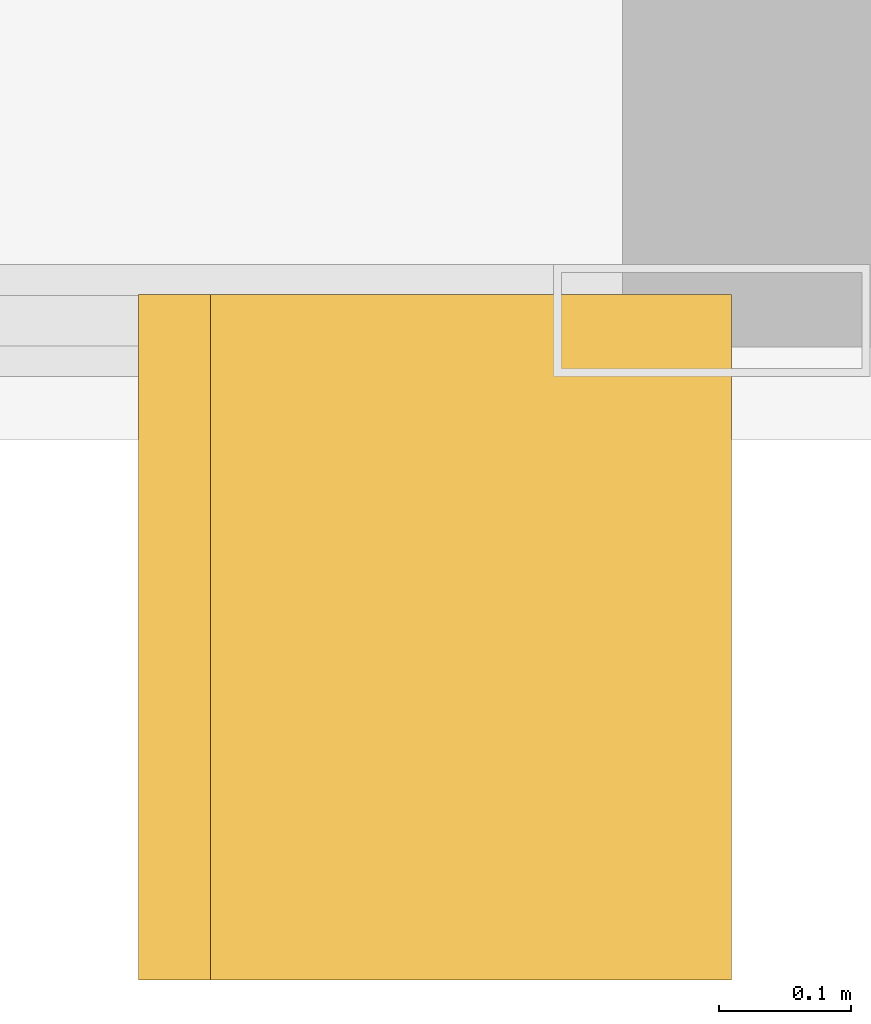
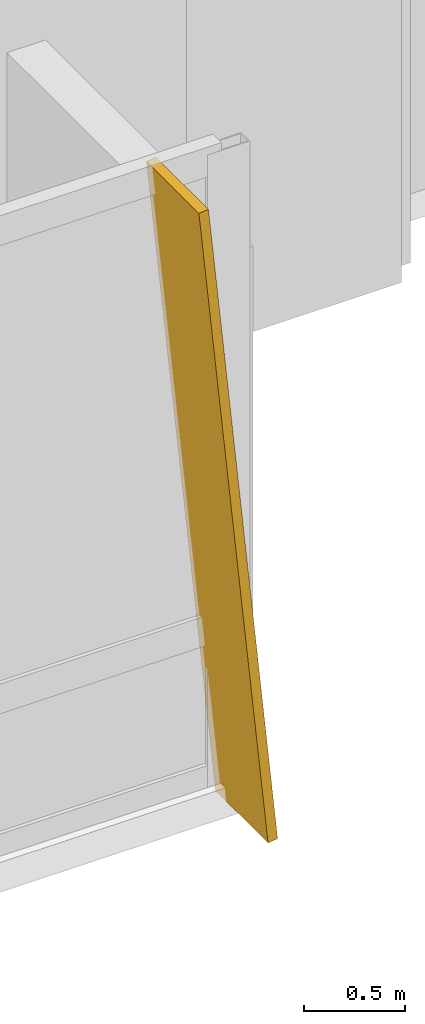
# One storey, part 35 of 35: 1 shading device.
"""IFC4 building model written with IfcOpenShell, lengths in metres."""

import ifcopenshell
import ifcopenshell.guid

model = None  # the IFC model being written
_history = None  # IfcOwnerHistory: only IFC2X3 demands one
_inside = {}  # id of a spatial element -> (the spatial element, [elements in it])
_under = {}  # id of a project, library or spatial element -> (it, [spatial elements below it])
_declared = {}  # id of a project -> (the project, [libraries it declares])
_typed = {}  # id of a type object -> (the type object, [elements of that type])
_made_of = {}  # id of a material, layer set ... -> (it, [elements and type objects made of it])


def new_model(schema):
    """Start an empty IFC model of exactly this schema.

    Asked for "IFC4X3", IfcOpenShell would pick the latest addendum, in which some entities
    have other attributes; the version numbers below select the first issue.
    IFC2X3 requires an IfcOwnerHistory on every rooted entity: one is made here for all.
    """
    global model, _history
    if schema == "IFC4X3":
        model = ifcopenshell.file(schema_version=(4, 3, 0, 0))
    else:
        model = ifcopenshell.file(schema=schema)
    _inside.clear()
    _under.clear()
    _declared.clear()
    _typed.clear()
    _made_of.clear()
    _history = None
    if model.schema == "IFC2X3":
        org = make("IfcOrganization", Name="unknown")
        user = make(
            "IfcPersonAndOrganization",
            ThePerson=make("IfcPerson", FamilyName="unknown"),
            TheOrganization=org,
        )
        app = make(
            "IfcApplication",
            ApplicationDeveloper=org,
            Version="unknown",
            ApplicationFullName="unknown",
            ApplicationIdentifier="unknown",
        )
        _history = make(
            "IfcOwnerHistory",
            OwningUser=user,
            OwningApplication=app,
            ChangeAction="ADDED",
            CreationDate=0,
        )
    return model


def make(cls, **values):
    """One entity of the class cls with the attributes given. An attribute that is None is left unset."""
    return model.create_entity(
        cls, **{name: value for name, value in values.items() if value is not None}
    )


def rooted(cls, **values):
    """An entity with a GlobalId (a new one), such as an element, a storey or a relation."""
    return make(cls, GlobalId=ifcopenshell.guid.new(), OwnerHistory=_history, **values)


def si_unit(unit_type, name, prefix=None):
    """IfcSIUnit, for example si_unit("LENGTHUNIT", "METRE", prefix="MILLI")."""
    return make("IfcSIUnit", UnitType=unit_type, Prefix=prefix, Name=name)


def assignment(units):
    """IfcUnitAssignment: the units of a project."""
    return None if units is None else make("IfcUnitAssignment", Units=units)


def point(xyz):
    """IfcCartesianPoint."""
    return None if xyz is None else make("IfcCartesianPoint", Coordinates=xyz)


def direction(xyz):
    """IfcDirection."""
    return None if xyz is None else make("IfcDirection", DirectionRatios=xyz)


def frame(location, z_axis=None, x_axis=None):
    """IfcAxis2Placement3D, a coordinate frame: its origin and axes. An axis left out is left unset."""
    return make(
        "IfcAxis2Placement3D",
        Location=point(location),
        Axis=direction(z_axis),
        RefDirection=direction(x_axis),
    )


def origin():
    """The frame at (0, 0, 0) with its axes left unset."""
    return frame((0.0, 0.0, 0.0))


def place(relative_to, where):
    """IfcLocalPlacement: puts the frame where relative to a parent placement (None: the world)."""
    return make(
        "IfcLocalPlacement", PlacementRelTo=relative_to, RelativePlacement=where
    )


def context(
    kind, dimensions, precision=None, world=None, true_north=None, identifier=None
):
    """IfcGeometricRepresentationContext, for example the 3D "Model" context."""
    return make(
        "IfcGeometricRepresentationContext",
        ContextIdentifier=identifier,
        ContextType=kind,
        CoordinateSpaceDimension=dimensions,
        Precision=precision,
        WorldCoordinateSystem=world,
        TrueNorth=true_north,
    )


def subcontext(parent, identifier, kind, view, scale=None):
    """IfcGeometricRepresentationSubContext, for example "Body" below "Model"."""
    return make(
        "IfcGeometricRepresentationSubContext",
        ContextIdentifier=identifier,
        ContextType=kind,
        ParentContext=parent,
        TargetScale=scale,
        TargetView=view,
    )


def project(units=None, contexts=None):
    """IfcProject with its units and contexts."""
    return rooted(
        "IfcProject",
        Name="project",
        RepresentationContexts=contexts,
        UnitsInContext=assignment(units),
    )


def spatial(cls, under=None, at=None, **own):
    """A site, building, storey or space (cls), placed at a placement, below another one or the project."""
    s = rooted(cls, ObjectPlacement=at, **own)
    if under is not None:
        _under.setdefault(under.id(), (under, []))[1].append(s)
    return s


def polyline(points):
    """IfcPolyline through the points."""
    return make("IfcPolyline", Points=[point(p) for p in points])


def outline(outer, holes=None, kind="AREA"):
    """IfcArbitraryClosedProfileDef: a profile drawn as a closed curve; with holes, ...WithVoids."""
    if holes is None:
        return make("IfcArbitraryClosedProfileDef", ProfileType=kind, OuterCurve=outer)
    return make(
        "IfcArbitraryProfileDefWithVoids",
        ProfileType=kind,
        OuterCurve=outer,
        InnerCurves=holes,
    )


def extrude(swept, where, along, depth):
    """IfcExtrudedAreaSolid: the profile swept, set in the frame where, extruded along a direction by depth."""
    return make(
        "IfcExtrudedAreaSolid",
        SweptArea=swept,
        Position=where,
        ExtrudedDirection=direction(along),
        Depth=depth,
    )


def shape(context_of_items, identifier, shape_type, items):
    """IfcShapeRepresentation: the items that make up one representation, for example the "Body"."""
    return make(
        "IfcShapeRepresentation",
        ContextOfItems=context_of_items,
        RepresentationIdentifier=identifier,
        RepresentationType=shape_type,
        Items=items,
    )


def material(Name=None, Category=None):
    """IfcMaterial."""
    return make("IfcMaterial", Name=Name, Category=Category)


def layer(
    of_material, thickness, ventilated=None, Name=None, Category=None, Priority=None
):
    """IfcMaterialLayer: one layer of a wall or slab, of a material (None: an air gap)."""
    return make(
        "IfcMaterialLayer",
        Material=of_material,
        LayerThickness=thickness,
        IsVentilated=ventilated,
        Name=Name,
        Category=Category,
        Priority=Priority,
    )


def layer_set(layers, Name=None):
    """IfcMaterialLayerSet."""
    return make("IfcMaterialLayerSet", MaterialLayers=layers, LayerSetName=Name)


def made_of(thing, what):
    """Note that an element or type object is made of a material, layer set ...; save() writes the relation."""
    if what is not None:
        _made_of.setdefault(what.id(), (what, []))[1].append(thing)
    return thing


def type_object(cls, material=None, **own):
    """A type object (cls), such as IfcWallType, which elements share."""
    return made_of(rooted(cls, **own), material)


def element(
    cls,
    number,
    at=None,
    inside=None,
    cuts=None,
    type_object=None,
    material=None,
    context=None,
    identifier="Body",
    shape_type=None,
    held_by="IfcProductDefinitionShape",
    body=None,
    shapes=None,
    **own,
):
    """One element of the class cls, such as IfcWall. Its Tag is "e" and its number.

    at: its placement. inside: the storey or other place that contains it. cuts: it is an
    opening in that element (IfcRelVoidsElement). A single representation is given by context,
    identifier, shape_type and body (its items); several are given by shapes. held_by: the class
    of the entity that holds the representations. save() writes the other relations.
    """
    e = rooted(cls, Tag="e%d" % number, ObjectPlacement=at, **own)
    if body is not None:
        shapes = [shape(context, identifier, shape_type, body)]
    if shapes is not None:
        e.Representation = make(held_by, Representations=shapes)
    if inside is not None:
        _inside.setdefault(inside.id(), (inside, []))[1].append(e)
    if cuts is not None:
        rooted(
            "IfcRelVoidsElement", RelatingBuildingElement=cuts, RelatedOpeningElement=e
        )
    if type_object is not None:
        _typed.setdefault(type_object.id(), (type_object, []))[1].append(e)
    return made_of(e, material)


def aggregate(whole, parts):
    """IfcRelAggregates: a whole, such as a stair, and the parts it consists of."""
    return rooted("IfcRelAggregates", RelatingObject=whole, RelatedObjects=parts)


def save(model, path):
    """Write the relations noted so far, then the file.

    IfcRelAggregates (storeys below a building ...), IfcRelContainedInSpatialStructure (elements
    in a storey), IfcRelDefinesByType, IfcRelAssociatesMaterial and IfcRelDeclares: one each for
    every whole, place, type object, material and project.
    """
    for whole, parts in _under.values():
        aggregate(whole, parts)
    for where, things in _inside.values():
        rooted(
            "IfcRelContainedInSpatialStructure",
            RelatedElements=things,
            RelatingStructure=where,
        )
    for kind, things in _typed.values():
        rooted("IfcRelDefinesByType", RelatedObjects=things, RelatingType=kind)
    for what, things in _made_of.values():
        rooted("IfcRelAssociatesMaterial", RelatedObjects=things, RelatingMaterial=what)
    for by, libraries in _declared.values():
        rooted("IfcRelDeclares", RelatingContext=by, RelatedDefinitions=libraries)
    model.write(path)


model = new_model("IFC4")

# Units and contexts
model_context = context("Model", 3, precision=1e-05, world=origin(), true_north=direction((0.0, 1.0)))
body_context = subcontext(model_context, "Body", "Model", "MODEL_VIEW")
ifc_project = project(units=[si_unit("LENGTHUNIT", "METRE"), si_unit("AREAUNIT", "SQUARE_METRE"), si_unit("VOLUMEUNIT", "CUBIC_METRE"), si_unit("PLANEANGLEUNIT", "RADIAN"), si_unit("MASSUNIT", "GRAM", prefix="KILO")], contexts=[model_context])

# Site, building, storey
site_placement = place(None, origin())
site = spatial("IfcSite", under=ifc_project, at=site_placement, CompositionType="ELEMENT")
building_placement = place(site_placement, origin())
building = spatial("IfcBuilding", under=site, at=building_placement, Name="Khoronbel Lancet Exchange", CompositionType="ELEMENT")
storey_placement = place(building_placement, frame((0.0, 0.0, 53.800048828125)))
storey = spatial("IfcBuildingStorey", under=building, at=storey_placement, Name="L12", CompositionType="ELEMENT", Elevation=53.800048828125)

# Shading device
ifc_material = material(Name="Bronze-Anodised Aluminium 6063-T6", Category="aluminium")
ifc_layer = layer(ifc_material, 0.054931640625, Name="Bronze-Anodised Aluminium 6063-T6")
ifc_layer_set = layer_set([ifc_layer], Name="Bronze-Anodised Aluminium 6063-T6")
shading_device_type = type_object("IfcShadingDeviceType", Name="SHD-FIN1", PredefinedType="USERDEFINED", material=ifc_layer_set)
shading_device_placement = place(storey_placement, frame((67.9326171875, 7.31005859375, -0.080078125), z_axis=(0.995011517869, 0.0, 0.099760108806), x_axis=(0.0, -1.0, 0.0)))
element("IfcShadingDevice", 1, at=shading_device_placement, inside=storey, type_object=shading_device_type, Name="Slanted bronze solar fin CW-L12-SEV-1", ObjectType="FIN", PredefinedType="USERDEFINED", context=body_context, shape_type="SweptSolid", body=[
    extrude(outline(polyline([(0.0, 0.0), (0.52001953125, 0.0), (0.52001953125, -3.959716796875), (0.0, -3.959716796875), (0.0, 0.0)])), origin(), (0.0, 0.0, -1.0), 0.054931640625),
])

save(model, "model.ifc")
